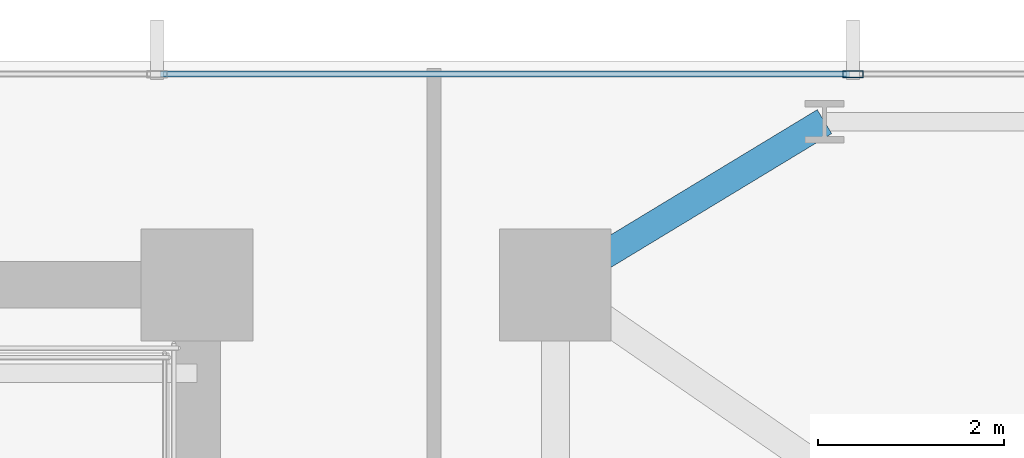
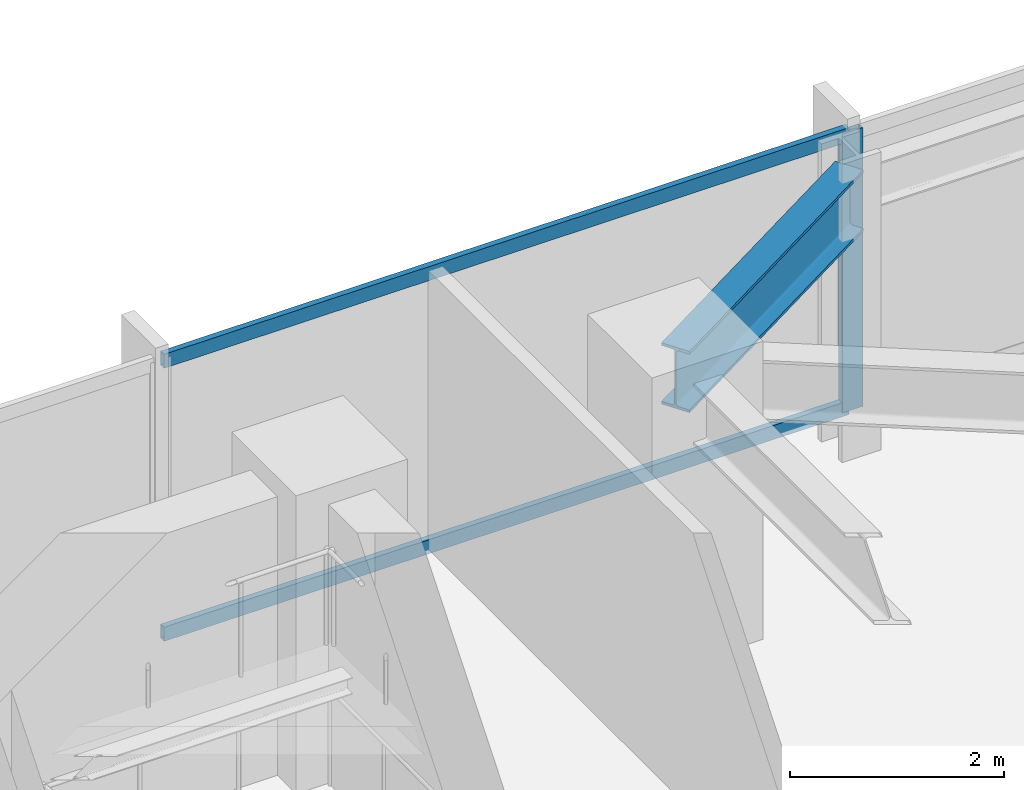
# One storey, part 20 of 32: 3 members, 1 beam, 1 element without a shape of its own.
"""IFC4 building model written with IfcOpenShell, lengths in metres."""

import ifcopenshell
import ifcopenshell.guid

model = None  # the IFC model being written
_history = None  # IfcOwnerHistory: only IFC2X3 demands one
_inside = {}  # id of a spatial element -> (the spatial element, [elements in it])
_under = {}  # id of a project, library or spatial element -> (it, [spatial elements below it])
_declared = {}  # id of a project -> (the project, [libraries it declares])
_typed = {}  # id of a type object -> (the type object, [elements of that type])
_made_of = {}  # id of a material, layer set ... -> (it, [elements and type objects made of it])


def new_model(schema):
    """Start an empty IFC model of exactly this schema.

    Asked for "IFC4X3", IfcOpenShell would pick the latest addendum, in which some entities
    have other attributes; the version numbers below select the first issue.
    IFC2X3 requires an IfcOwnerHistory on every rooted entity: one is made here for all.
    """
    global model, _history
    if schema == "IFC4X3":
        model = ifcopenshell.file(schema_version=(4, 3, 0, 0))
    else:
        model = ifcopenshell.file(schema=schema)
    _inside.clear()
    _under.clear()
    _declared.clear()
    _typed.clear()
    _made_of.clear()
    _history = None
    if model.schema == "IFC2X3":
        org = make("IfcOrganization", Name="unknown")
        user = make(
            "IfcPersonAndOrganization",
            ThePerson=make("IfcPerson", FamilyName="unknown"),
            TheOrganization=org,
        )
        app = make(
            "IfcApplication",
            ApplicationDeveloper=org,
            Version="unknown",
            ApplicationFullName="unknown",
            ApplicationIdentifier="unknown",
        )
        _history = make(
            "IfcOwnerHistory",
            OwningUser=user,
            OwningApplication=app,
            ChangeAction="ADDED",
            CreationDate=0,
        )
    return model


def make(cls, **values):
    """One entity of the class cls with the attributes given. An attribute that is None is left unset."""
    return model.create_entity(
        cls, **{name: value for name, value in values.items() if value is not None}
    )


def rooted(cls, **values):
    """An entity with a GlobalId (a new one), such as an element, a storey or a relation."""
    return make(cls, GlobalId=ifcopenshell.guid.new(), OwnerHistory=_history, **values)


def si_unit(unit_type, name, prefix=None):
    """IfcSIUnit, for example si_unit("LENGTHUNIT", "METRE", prefix="MILLI")."""
    return make("IfcSIUnit", UnitType=unit_type, Prefix=prefix, Name=name)


def assignment(units):
    """IfcUnitAssignment: the units of a project."""
    return None if units is None else make("IfcUnitAssignment", Units=units)


def point(xyz):
    """IfcCartesianPoint."""
    return None if xyz is None else make("IfcCartesianPoint", Coordinates=xyz)


def direction(xyz):
    """IfcDirection."""
    return None if xyz is None else make("IfcDirection", DirectionRatios=xyz)


def frame(location, z_axis=None, x_axis=None):
    """IfcAxis2Placement3D, a coordinate frame: its origin and axes. An axis left out is left unset."""
    return make(
        "IfcAxis2Placement3D",
        Location=point(location),
        Axis=direction(z_axis),
        RefDirection=direction(x_axis),
    )


def frame_2d(location, x_axis=None):
    """IfcAxis2Placement2D, a coordinate frame in the plane: its origin and x axis."""
    return make(
        "IfcAxis2Placement2D", Location=point(location), RefDirection=direction(x_axis)
    )


def origin():
    """The frame at (0, 0, 0) with its axes left unset."""
    return frame((0.0, 0.0, 0.0))


def origin_2d():
    """The frame at (0, 0) in the plane with its x axis left unset."""
    return frame_2d((0.0, 0.0))


def place(relative_to, where):
    """IfcLocalPlacement: puts the frame where relative to a parent placement (None: the world)."""
    return make(
        "IfcLocalPlacement", PlacementRelTo=relative_to, RelativePlacement=where
    )


def context(
    kind, dimensions, precision=None, world=None, true_north=None, identifier=None
):
    """IfcGeometricRepresentationContext, for example the 3D "Model" context."""
    return make(
        "IfcGeometricRepresentationContext",
        ContextIdentifier=identifier,
        ContextType=kind,
        CoordinateSpaceDimension=dimensions,
        Precision=precision,
        WorldCoordinateSystem=world,
        TrueNorth=true_north,
    )


def subcontext(parent, identifier, kind, view, scale=None):
    """IfcGeometricRepresentationSubContext, for example "Body" below "Model"."""
    return make(
        "IfcGeometricRepresentationSubContext",
        ContextIdentifier=identifier,
        ContextType=kind,
        ParentContext=parent,
        TargetScale=scale,
        TargetView=view,
    )


def project(units=None, contexts=None):
    """IfcProject with its units and contexts."""
    return rooted(
        "IfcProject",
        Name="project",
        RepresentationContexts=contexts,
        UnitsInContext=assignment(units),
    )


def spatial(cls, under=None, at=None, **own):
    """A site, building, storey or space (cls), placed at a placement, below another one or the project."""
    s = rooted(cls, ObjectPlacement=at, **own)
    if under is not None:
        _under.setdefault(under.id(), (under, []))[1].append(s)
    return s


def profile(cls, at=None, kind="AREA", **sizes):
    """A parametric profile (cls). Its sizes go by their IFC names, for example OverallWidth=200.0."""
    return make(cls, ProfileType=kind, Position=at, **sizes)


def hollow_rectangle(**sizes):
    """IfcRectangleHollowProfileDef."""
    return profile("IfcRectangleHollowProfileDef", **sizes)


def i_section(**sizes):
    """IfcIShapeProfileDef."""
    return profile("IfcIShapeProfileDef", **sizes)


def extrude(swept, where, along, depth):
    """IfcExtrudedAreaSolid: the profile swept, set in the frame where, extruded along a direction by depth."""
    return make(
        "IfcExtrudedAreaSolid",
        SweptArea=swept,
        Position=where,
        ExtrudedDirection=direction(along),
        Depth=depth,
    )


def shape(context_of_items, identifier, shape_type, items):
    """IfcShapeRepresentation: the items that make up one representation, for example the "Body"."""
    return make(
        "IfcShapeRepresentation",
        ContextOfItems=context_of_items,
        RepresentationIdentifier=identifier,
        RepresentationType=shape_type,
        Items=items,
    )


def material(Name=None, Category=None):
    """IfcMaterial."""
    return make("IfcMaterial", Name=Name, Category=Category)


def material_profile(
    of_material, cross_section, Name=None, Category=None, Priority=None
):
    """IfcMaterialProfile: a cross section and its material."""
    return make(
        "IfcMaterialProfile",
        Name=Name,
        Material=of_material,
        Profile=cross_section,
        Priority=Priority,
        Category=Category,
    )


def profile_set(profiles, Name=None, composite=None):
    """IfcMaterialProfileSet."""
    return make(
        "IfcMaterialProfileSet",
        Name=Name,
        MaterialProfiles=profiles,
        CompositeProfile=composite,
    )


def made_of(thing, what):
    """Note that an element or type object is made of a material, layer set ...; save() writes the relation."""
    if what is not None:
        _made_of.setdefault(what.id(), (what, []))[1].append(thing)
    return thing


def type_object(cls, material=None, **own):
    """A type object (cls), such as IfcWallType, which elements share."""
    return made_of(rooted(cls, **own), material)


def element(
    cls,
    number,
    at=None,
    inside=None,
    cuts=None,
    type_object=None,
    material=None,
    context=None,
    identifier="Body",
    shape_type=None,
    held_by="IfcProductDefinitionShape",
    body=None,
    shapes=None,
    **own,
):
    """One element of the class cls, such as IfcWall. Its Tag is "e" and its number.

    at: its placement. inside: the storey or other place that contains it. cuts: it is an
    opening in that element (IfcRelVoidsElement). A single representation is given by context,
    identifier, shape_type and body (its items); several are given by shapes. held_by: the class
    of the entity that holds the representations. save() writes the other relations.
    """
    e = rooted(cls, Tag="e%d" % number, ObjectPlacement=at, **own)
    if body is not None:
        shapes = [shape(context, identifier, shape_type, body)]
    if shapes is not None:
        e.Representation = make(held_by, Representations=shapes)
    if inside is not None:
        _inside.setdefault(inside.id(), (inside, []))[1].append(e)
    if cuts is not None:
        rooted(
            "IfcRelVoidsElement", RelatingBuildingElement=cuts, RelatedOpeningElement=e
        )
    if type_object is not None:
        _typed.setdefault(type_object.id(), (type_object, []))[1].append(e)
    return made_of(e, material)


def aggregate(whole, parts):
    """IfcRelAggregates: a whole, such as a stair, and the parts it consists of."""
    return rooted("IfcRelAggregates", RelatingObject=whole, RelatedObjects=parts)


def save(model, path):
    """Write the relations noted so far, then the file.

    IfcRelAggregates (storeys below a building ...), IfcRelContainedInSpatialStructure (elements
    in a storey), IfcRelDefinesByType, IfcRelAssociatesMaterial and IfcRelDeclares: one each for
    every whole, place, type object, material and project.
    """
    for whole, parts in _under.values():
        aggregate(whole, parts)
    for where, things in _inside.values():
        rooted(
            "IfcRelContainedInSpatialStructure",
            RelatedElements=things,
            RelatingStructure=where,
        )
    for kind, things in _typed.values():
        rooted("IfcRelDefinesByType", RelatedObjects=things, RelatingType=kind)
    for what, things in _made_of.values():
        rooted("IfcRelAssociatesMaterial", RelatedObjects=things, RelatingMaterial=what)
    for by, libraries in _declared.values():
        rooted("IfcRelDeclares", RelatingContext=by, RelatedDefinitions=libraries)
    model.write(path)


model = new_model("IFC4")

# Units and contexts
model_context = context("Model", 3, precision=1e-05, world=origin(), true_north=direction((0.0, 1.0)))
body_context = subcontext(model_context, "Body", "Model", "MODEL_VIEW")
ifc_project = project(units=[si_unit("LENGTHUNIT", "METRE"), si_unit("AREAUNIT", "SQUARE_METRE"), si_unit("VOLUMEUNIT", "CUBIC_METRE"), si_unit("PLANEANGLEUNIT", "RADIAN"), si_unit("MASSUNIT", "GRAM", prefix="KILO")], contexts=[model_context])

# Site, building, storey
site_placement = place(None, origin())
site = spatial("IfcSite", under=ifc_project, at=site_placement, CompositionType="ELEMENT")
building_placement = place(site_placement, origin())
building = spatial("IfcBuilding", under=site, at=building_placement, Name="Yelkora Congress Tower", CompositionType="ELEMENT")
storey_placement = place(building_placement, frame((0.0, 0.0, 67.800048828125)))
storey = spatial("IfcBuildingStorey", under=building, at=storey_placement, Name="L17", CompositionType="ELEMENT", Elevation=67.800048828125)

# Beam
ifc_material_1 = material(Name="Steel S355J2", Category="steel")
ifc_material_profile_1 = material_profile(ifc_material_1, i_section(OverallWidth=0.300048828125, OverallDepth=0.699951171875, WebThickness=0.01708984375, FlangeThickness=0.031982421875, FilletRadius=0.027099609375, at=origin_2d()), Name="HEB 700")
ifc_profile_set_1 = profile_set([ifc_material_profile_1], Name="Steel S355J2")
beam_type = type_object("IfcBeamType", Name="BM-GIRD-HEB700", PredefinedType="BEAM", material=ifc_profile_set_1)
beam_placement = place(storey_placement, frame((60.487548828125, 47.949951171875, 2.829833984375), z_axis=(-0.855193946581, -0.518308126244, 0.0), x_axis=(0.518308126244, -0.855193946581, 0.0)))
element("IfcBeam", 1, at=beam_placement, inside=storey, type_object=beam_type, Name="L17 Primary Frame Girder N08", PredefinedType="BEAM", context=body_context, shape_type="SweptSolid", body=[
    extrude(i_section(OverallWidth=0.300048828125, OverallDepth=0.699951171875, WebThickness=0.01708984375, FlangeThickness=0.031982421875, FilletRadius=0.027099609375, at=origin_2d()), origin(), (0.0, 0.0, 1.0), 3.37646484375),
])

# Curtain wall, members
ifc_material_2 = material(Name="Anodised aluminium and insulated glass", Category="aluminium")
curtain_wall_type = type_object("IfcCurtainWallType", Name="CW-SYS-B1", PredefinedType="NOTDEFINED", material=ifc_material_2)
curtain_wall_placement = place(storey_placement, origin())
curtain_wall = element("IfcCurtainWall", 2, at=curtain_wall_placement, inside=storey, type_object=curtain_wall_type, Name="L17 Unitised Curtain Wall 10", PredefinedType="NOTDEFINED")
ifc_material_3 = material(Name="Anodised aluminium 6063-T6", Category="aluminium")
ifc_material_profile_2 = material_profile(ifc_material_3, hollow_rectangle(XDim=0.074951171875, YDim=0.219970703125, WallThickness=0.0048828125, at=origin_2d()), Name="ALU 75x220x5")
ifc_profile_set_2 = profile_set([ifc_material_profile_2], Name="Anodised aluminium 6063-T6")
member_type_1 = type_object("IfcMemberType", Name="MEM-ML-B1", PredefinedType="MULLION", material=ifc_profile_set_2)
member_1_placement = place(storey_placement, frame((60.794921875, 48.4599609375, 0.0), z_axis=(0.0, 0.0, 1.0), x_axis=(0.0, 1.0, 0.0)))
member_1 = element("IfcMember", 3, at=member_1_placement, type_object=member_type_1, Name="CW-B1 mullion 8", PredefinedType="MULLION", context=body_context, shape_type="SweptSolid", body=[
    extrude(hollow_rectangle(XDim=0.074951171875, YDim=0.219970703125, WallThickness=0.0048828125, at=origin_2d()), origin(), (0.0, 0.0, 1.0), 3.179931640625),
])
ifc_material_profile_3 = material_profile(ifc_material_3, hollow_rectangle(XDim=0.06494140625, YDim=0.159912109375, WallThickness=0.00390625, at=origin_2d()), Name="ALU 65x160x4")
ifc_profile_set_3 = profile_set([ifc_material_profile_3], Name="Anodised aluminium 6063-T6")
member_type_2 = type_object("IfcMemberType", Name="MEM-TR-B1", PredefinedType="USERDEFINED", material=ifc_profile_set_3)
member_2_placement = place(storey_placement, frame((53.367431640625, 48.4599609375, 0.032470703125), z_axis=(1.0, 0.0, 0.0), x_axis=(0.0, 1.0, 0.0)))
member_2 = element("IfcMember", 4, at=member_2_placement, type_object=member_type_2, Name="CW-B1 transom 7.1", ObjectType="TRANSOM", PredefinedType="USERDEFINED", context=body_context, shape_type="SweptSolid", body=[
    extrude(hollow_rectangle(XDim=0.06494140625, YDim=0.159912109375, WallThickness=0.00390625, at=origin_2d()), origin(), (0.0, 0.0, 1.0), 7.39013671875),
])
member_3_placement = place(storey_placement, frame((53.367431640625, 48.4599609375, 3.1474609375), z_axis=(1.0, 0.0, 0.0), x_axis=(0.0, 1.0, 0.0)))
member_3 = element("IfcMember", 5, at=member_3_placement, type_object=member_type_2, Name="CW-B1 transom 7.2", ObjectType="TRANSOM", PredefinedType="USERDEFINED", context=body_context, shape_type="SweptSolid", body=[
    extrude(hollow_rectangle(XDim=0.06494140625, YDim=0.159912109375, WallThickness=0.00390625, at=origin_2d()), origin(), (0.0, 0.0, 1.0), 7.39013671875),
])
aggregate(curtain_wall, [member_1, member_2, member_3])

save(model, "model.ifc")
